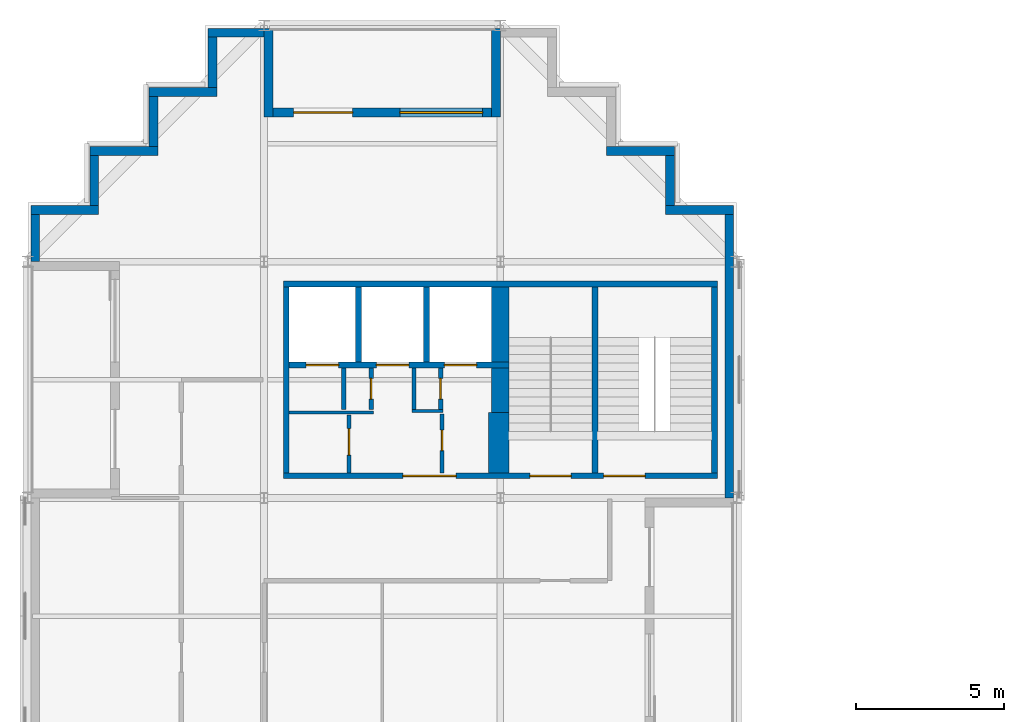
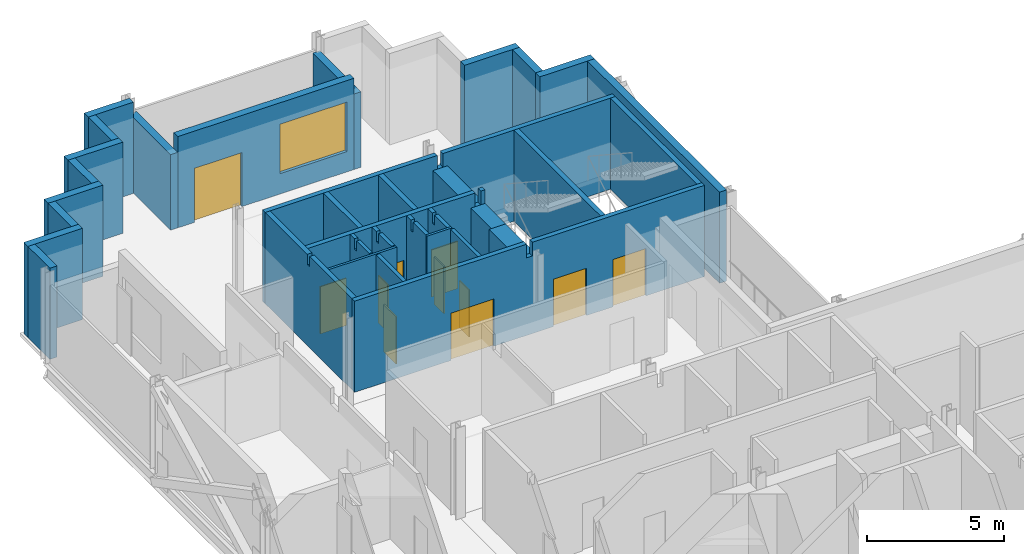
# One storey, part 8 of 10: 34 walls, 11 doors, 1 window, 12 openings.
"""IFC4 building model written with IfcOpenShell, lengths in metres."""

from ifc_helpers import new_model, si_unit, direction, frame, frame_2d, origin, place, context, subcontext, project, spatial, polyline, rectangle, outline, extrude, material, layer, layer_set, type_object, element, fill, save


model = new_model("IFC4")

# Units and contexts
model_context = context("Model", 3, precision=1e-05, world=origin(), true_north=direction((0.0, 1.0)))
body_context = subcontext(model_context, "Body", "Model", "MODEL_VIEW")
ifc_project = project(units=[si_unit("LENGTHUNIT", "METRE"), si_unit("AREAUNIT", "SQUARE_METRE"), si_unit("VOLUMEUNIT", "CUBIC_METRE"), si_unit("PLANEANGLEUNIT", "RADIAN"), si_unit("MASSUNIT", "GRAM", prefix="KILO")], contexts=[model_context])

# Site, building, storey
site_placement = place(None, origin())
site = spatial("IfcSite", under=ifc_project, at=site_placement, CompositionType="ELEMENT")
building_placement = place(site_placement, origin())
building = spatial("IfcBuilding", under=site, at=building_placement, Name="Immortelle Media Tower", CompositionType="ELEMENT")
storey_placement = place(building_placement, frame((0.0, 0.0, 162.0)))
storey = spatial("IfcBuildingStorey", under=building, at=storey_placement, Name="L33", CompositionType="ELEMENT", Elevation=162.0)

# Walls
ifc_material_1 = material(Name="Fire-rated gypsum board", Category="gypsum")
ifc_layer_1 = layer(ifc_material_1, 0.02490234375)
ifc_material_2 = material(Name="Steel ASTM A653 SS Gr 50 stud frame with mineral wool", Category="steel")
ifc_layer_2 = layer(ifc_material_2, 0.050048828125)
ifc_layer_3 = layer(ifc_material_1, 0.02490234375)
ifc_layer_set_1 = layer_set([ifc_layer_1, ifc_layer_2, ifc_layer_3], Name="Steel ASTM A653 SS Gr 50 stud frame with mineral wool")
wall_type_1 = type_object("IfcWallType", Name="Core partition 100", PredefinedType="PARTITIONING", material=ifc_layer_set_1)
wall_1_placement = place(storey_placement, frame((8.85009765625, 34.89990234375, 0.0), z_axis=(0.0, 0.0, 1.0), x_axis=(1.0, 0.0, 0.0)))
element("IfcWall", 1, at=wall_1_placement, inside=storey, type_object=wall_type_1, Name="Core partition NW", PredefinedType="PARTITIONING", context=body_context, shape_type="SweptSolid", body=[
    extrude(rectangle(XDim=2.849853515625, YDim=0.10009765625, at=frame_2d((1.4248046875, 0.0))), origin(), (0.0, 0.0, 1.0), 4.050048828125),
])
wall_2_placement = place(storey_placement, frame((13.0, 34.949951171875, 0.0), z_axis=(0.0, 0.0, 1.0), x_axis=(1.0, 0.0, 0.0)))
element("IfcWall", 2, at=wall_2_placement, inside=storey, type_object=wall_type_1, Name="Core partition NW", PredefinedType="PARTITIONING", context=body_context, shape_type="SweptSolid", body=[
    extrude(rectangle(XDim=1.050048828125, YDim=0.10009765625, at=frame_2d((0.52490234375, 0.0))), origin(), (0.0, 0.0, 1.0), 4.050048828125),
])
ifc_layer_4 = layer(ifc_material_1, 0.02490234375)
ifc_layer_5 = layer(ifc_material_2, 0.10009765625)
ifc_layer_6 = layer(ifc_material_1, 0.02490234375)
ifc_layer_set_2 = layer_set([ifc_layer_4, ifc_layer_5, ifc_layer_6], Name="Steel ASTM A653 SS Gr 50 stud frame with mineral wool")
wall_type_2 = type_object("IfcWallType", Name="Core partition 150", PredefinedType="PARTITIONING", material=ifc_layer_set_2)
wall_3_placement = place(storey_placement, frame((10.699951171875, 35.0, 0.0), z_axis=(0.0, 0.0, 1.0), x_axis=(0.0, 1.0, 0.0)))
element("IfcWall", 3, at=wall_3_placement, inside=storey, type_object=wall_type_2, Name="Core partition NW", PredefinedType="PARTITIONING", context=body_context, shape_type="SweptSolid", body=[
    extrude(outline(polyline([(0.0, 0.0), (1.39990234375, 0.0), (1.39990234375, 4.050048828125), (1.08154296875, 4.050048828125), (1.08056640625, 3.589111328125), (0.91943359375, 3.589111328125), (0.91845703125, 4.050048828125), (0.0, 4.050048828125), (0.0, 0.0)])), frame((0.0, 0.074951171875, 0.0), z_axis=(0.0, -1.0, 0.0), x_axis=(1.0, 0.0, 0.0)), (0.0, 0.0, 1.0), 0.14990234375),
])

# Wall, opening, door
wall_4_placement = place(storey_placement, frame((10.875, 32.85009765625, 0.0), z_axis=(0.0, 0.0, 1.0), x_axis=(0.0, 1.0, 0.0)))
wall_4 = element("IfcWall", 4, at=wall_4_placement, inside=storey, type_object=wall_type_2, Name="Core partition NW", PredefinedType="PARTITIONING", context=body_context, shape_type="SweptSolid", body=[
    extrude(rectangle(XDim=1.949951171875, YDim=0.14990234375, at=frame_2d((0.97509765625, 0.0))), origin(), (0.0, 0.0, 1.0), 4.050048828125),
])
opening_1_placement = place(wall_4_placement, frame((0.60009765625, 0.0, 0.0)))
opening_1 = element("IfcOpeningElement", 5, at=opening_1_placement, cuts=wall_4, Name="Opening C4-K026", PredefinedType="OPENING", context=body_context, shape_type="SweptSolid", body=[
    extrude(rectangle(XDim=0.89990234375, YDim=2.10009765625, at=frame_2d((0.449951171875, 1.050048828125))), frame((0.0, 0.0849609375, 0.0), z_axis=(0.0, -1.0, 0.0), x_axis=(1.0, 0.0, 0.0)), (0.0, 0.0, 1.0), 0.169921875),
])
ifc_material_3 = material(Name="Galvanised steel door leaf and frame ASTM A653", Category="steel")
door_type_1 = type_object("IfcDoorType", Name="Service door 900 x 2100", OperationType="NOTDEFINED", PredefinedType="NOTDEFINED", material=ifc_material_3)
door_1_placement = place(opening_1_placement, origin())
door_1 = element("IfcDoor", 6, at=door_1_placement, inside=storey, type_object=door_type_1, Name="Service C4-K026", OperationType="SINGLE_SWING_LEFT", OverallHeight=2.10009765625, OverallWidth=0.89990234375, PredefinedType="NOTDEFINED", context=body_context, shape_type="SweptSolid", body=[
    extrude(rectangle(XDim=0.89990234375, YDim=2.10009765625, at=frame_2d((0.449951171875, 1.050048828125))), frame((0.0, 0.02490234375, 0.0), z_axis=(0.0, -1.0, 0.0), x_axis=(1.0, 0.0, 0.0)), (0.0, 0.0, 1.0), 0.050048828125),
])
fill(opening_1, door_1)

wall_5_placement = place(storey_placement, frame((11.625, 35.0, 0.0), z_axis=(0.0, 0.0, 1.0), x_axis=(0.0, 1.0, 0.0)))
wall_5 = element("IfcWall", 7, at=wall_5_placement, inside=storey, type_object=wall_type_2, Name="Core partition NW", PredefinedType="PARTITIONING", context=body_context, shape_type="SweptSolid", body=[
    extrude(outline(polyline([(0.0, 0.0), (1.39990234375, 0.0), (1.39990234375, 4.050048828125), (1.08154296875, 4.050048828125), (1.08056640625, 3.589111328125), (0.91943359375, 3.589111328125), (0.91845703125, 4.050048828125), (0.0, 4.050048828125), (0.0, 0.0)])), frame((0.0, 0.074951171875, 0.0), z_axis=(0.0, -1.0, 0.0), x_axis=(1.0, 0.0, 0.0)), (0.0, 0.0, 1.0), 0.14990234375),
])
opening_2_placement = place(wall_5_placement, frame((0.35009765625, 0.0, 0.0)))
opening_2 = element("IfcOpeningElement", 8, at=opening_2_placement, cuts=wall_5, Name="Opening C4-K027", PredefinedType="OPENING", context=body_context, shape_type="SweptSolid", body=[
    extrude(rectangle(XDim=0.699951171875, YDim=2.10009765625, at=frame_2d((0.35009765625, 1.050048828125))), frame((0.0, 0.0849609375, 0.0), z_axis=(0.0, -1.0, 0.0), x_axis=(1.0, 0.0, 0.0)), (0.0, 0.0, 1.0), 0.169921875),
])
door_type_2 = type_object("IfcDoorType", Name="Service door 700 x 2100", OperationType="NOTDEFINED", PredefinedType="NOTDEFINED", material=ifc_material_3)
door_2_placement = place(opening_2_placement, origin())
door_2 = element("IfcDoor", 9, at=door_2_placement, inside=storey, type_object=door_type_2, Name="Service C4-K027", OperationType="SINGLE_SWING_RIGHT", OverallHeight=2.10009765625, OverallWidth=0.699951171875, PredefinedType="NOTDEFINED", context=body_context, shape_type="SweptSolid", body=[
    extrude(rectangle(XDim=0.699951171875, YDim=2.10009765625, at=frame_2d((0.35009765625, 1.050048828125))), frame((0.0, 0.02490234375, 0.0), z_axis=(0.0, -1.0, 0.0), x_axis=(1.0, 0.0, 0.0)), (0.0, 0.0, 1.0), 0.050048828125),
])
fill(opening_2, door_2)

# Wall
wall_6_placement = place(storey_placement, frame((13.074951171875, 35.0, 0.0), z_axis=(0.0, 0.0, 1.0), x_axis=(0.0, 1.0, 0.0)))
element("IfcWall", 10, at=wall_6_placement, inside=storey, type_object=wall_type_2, Name="Core partition NW", PredefinedType="PARTITIONING", context=body_context, shape_type="SweptSolid", body=[
    extrude(outline(polyline([(0.0, 0.0), (1.39990234375, 0.0), (1.39990234375, 4.050048828125), (1.08154296875, 4.050048828125), (1.08056640625, 3.589111328125), (0.91943359375, 3.589111328125), (0.91845703125, 4.050048828125), (0.0, 4.050048828125), (0.0, 0.0)])), frame((0.0, 0.074951171875, 0.0), z_axis=(0.0, -1.0, 0.0), x_axis=(1.0, 0.0, 0.0)), (0.0, 0.0, 1.0), 0.14990234375),
])

# Wall, opening, door
wall_7_placement = place(storey_placement, frame((13.97509765625, 35.0, 0.0), z_axis=(0.0, 0.0, 1.0), x_axis=(0.0, 1.0, 0.0)))
wall_7 = element("IfcWall", 11, at=wall_7_placement, inside=storey, type_object=wall_type_2, Name="Core partition NW", PredefinedType="PARTITIONING", context=body_context, shape_type="SweptSolid", body=[
    extrude(outline(polyline([(0.0, 0.0), (1.39990234375, 0.0), (1.39990234375, 4.050048828125), (1.08154296875, 4.050048828125), (1.08056640625, 3.589111328125), (0.91943359375, 3.589111328125), (0.91845703125, 4.050048828125), (0.0, 4.050048828125), (0.0, 0.0)])), frame((0.0, 0.074951171875, 0.0), z_axis=(0.0, -1.0, 0.0), x_axis=(1.0, 0.0, 0.0)), (0.0, 0.0, 1.0), 0.14990234375),
])
opening_3_placement = place(wall_7_placement, frame((1.050048828125, 0.0, 0.0), z_axis=(0.0, 0.0, 1.0), x_axis=(-1.0, 0.0, 0.0)))
opening_3 = element("IfcOpeningElement", 12, at=opening_3_placement, cuts=wall_7, Name="Opening C4-K030", PredefinedType="OPENING", context=body_context, shape_type="SweptSolid", body=[
    extrude(rectangle(XDim=0.699951171875, YDim=2.10009765625, at=frame_2d((0.35009765625, 1.050048828125))), frame((0.0, 0.0849609375, 0.0), z_axis=(0.0, -1.0, 0.0), x_axis=(1.0, 0.0, 0.0)), (0.0, 0.0, 1.0), 0.169921875),
])
door_3_placement = place(opening_3_placement, origin())
door_3 = element("IfcDoor", 13, at=door_3_placement, inside=storey, type_object=door_type_2, Name="Service C4-K030", OperationType="SINGLE_SWING_RIGHT", OverallHeight=2.10009765625, OverallWidth=0.699951171875, PredefinedType="NOTDEFINED", context=body_context, shape_type="SweptSolid", body=[
    extrude(rectangle(XDim=0.699951171875, YDim=2.10009765625, at=frame_2d((0.35009765625, 1.050048828125))), frame((0.0, 0.02490234375, 0.0), z_axis=(0.0, -1.0, 0.0), x_axis=(1.0, 0.0, 0.0)), (0.0, 0.0, 1.0), 0.050048828125),
])
fill(opening_3, door_3)

wall_8_placement = place(storey_placement, frame((14.02490234375, 32.85009765625, 0.0), z_axis=(0.0, 0.0, 1.0), x_axis=(0.0, 1.0, 0.0)))
wall_8 = element("IfcWall", 14, at=wall_8_placement, inside=storey, type_object=wall_type_2, Name="Core partition NW", PredefinedType="PARTITIONING", context=body_context, shape_type="SweptSolid", body=[
    extrude(rectangle(XDim=2.0, YDim=0.14990234375, at=frame_2d((1.0, 0.0))), origin(), (0.0, 0.0, 1.0), 4.050048828125),
])
opening_4_placement = place(wall_8_placement, frame((1.449951171875, 0.0, 0.0), z_axis=(0.0, 0.0, 1.0), x_axis=(-1.0, 0.0, 0.0)))
opening_4 = element("IfcOpeningElement", 15, at=opening_4_placement, cuts=wall_8, Name="Opening C4-K031", PredefinedType="OPENING", context=body_context, shape_type="SweptSolid", body=[
    extrude(rectangle(XDim=0.699951171875, YDim=2.10009765625, at=frame_2d((0.35009765625, 1.050048828125))), frame((0.0, 0.0849609375, 0.0), z_axis=(0.0, -1.0, 0.0), x_axis=(1.0, 0.0, 0.0)), (0.0, 0.0, 1.0), 0.169921875),
])
door_4_placement = place(opening_4_placement, origin())
door_4 = element("IfcDoor", 16, at=door_4_placement, inside=storey, type_object=door_type_2, Name="Service C4-K031", OperationType="SINGLE_SWING_LEFT", OverallHeight=2.10009765625, OverallWidth=0.699951171875, PredefinedType="NOTDEFINED", context=body_context, shape_type="SweptSolid", body=[
    extrude(rectangle(XDim=0.699951171875, YDim=2.10009765625, at=frame_2d((0.35009765625, 1.050048828125))), frame((0.0, 0.02490234375, 0.0), z_axis=(0.0, -1.0, 0.0), x_axis=(1.0, 0.0, 0.0)), (0.0, 0.0, 1.0), 0.050048828125),
])
fill(opening_4, door_4)

# Wall
ifc_layer_7 = layer(ifc_material_1, 0.03759765625)
ifc_layer_8 = layer(ifc_material_2, 0.125)
ifc_layer_9 = layer(ifc_material_1, 0.03759765625)
ifc_layer_set_3 = layer_set([ifc_layer_7, ifc_layer_8, ifc_layer_9], Name="Steel ASTM A653 SS Gr 50 stud frame with mineral wool")
wall_type_3 = type_object("IfcWallType", Name="Core shaft wall 200", PredefinedType="PARTITIONING", material=ifc_layer_set_3)
wall_9_placement = place(storey_placement, frame((8.75, 32.85009765625, 0.0), z_axis=(0.0, 0.0, 1.0), x_axis=(0.0, 1.0, 0.0)))
element("IfcWall", 17, at=wall_9_placement, inside=storey, type_object=wall_type_3, Name="Core shaft wall NW", PredefinedType="PARTITIONING", context=body_context, shape_type="SweptSolid", body=[
    extrude(outline(polyline([(0.0, 0.0), (6.2998046875, 0.0), (6.300048828125, 4.050048828125), (3.2314453125, 4.050048828125), (3.23046875, 3.589111328125), (3.069580078125, 3.589111328125), (3.068603515625, 4.050048828125), (0.0, 4.050048828125), (0.0, 0.0)])), frame((0.0, 0.10009765625, 0.0), z_axis=(0.0, -1.0, 0.0), x_axis=(1.0, 0.0, 0.0)), (0.0, 0.0, 1.0), 0.199951171875),
])

# Wall, openings, doors
wall_10_placement = place(storey_placement, frame((8.85009765625, 36.5, 0.0), z_axis=(0.0, 0.0, 1.0), x_axis=(1.0, 0.0, 0.0)))
wall_10 = element("IfcWall", 18, at=wall_10_placement, inside=storey, type_object=wall_type_3, Name="Core shaft wall NW", PredefinedType="PARTITIONING", context=body_context, shape_type="SweptSolid", body=[
    extrude(outline(polyline([(0.0, 0.0), (7.449951171875, 0.0), (7.449951171875, 4.050048828125), (7.26904296875, 4.050048828125), (7.26806640625, 3.44189453125), (7.031982421875, 3.44189453125), (7.031005859375, 4.050048828125), (0.0, 4.050048828125), (0.0, 0.0)])), frame((0.0, 0.10009765625, 0.0), z_axis=(0.0, -1.0, 0.0), x_axis=(1.0, 0.0, 0.0)), (0.0, 0.0, 1.0), 0.199951171875),
])
opening_5_placement = place(wall_10_placement, frame((0.574951171875, 0.0, 0.0)))
opening_5 = element("IfcOpeningElement", 19, at=opening_5_placement, cuts=wall_10, Name="Opening LD", PredefinedType="OPENING", context=body_context, shape_type="SweptSolid", body=[
    extrude(rectangle(XDim=1.10009765625, YDim=2.10009765625, at=frame_2d((0.550048828125, 1.050048828125))), frame((0.0, 0.10986328125, 0.0), z_axis=(0.0, -1.0, 0.0), x_axis=(1.0, 0.0, 0.0)), (0.0, 0.0, 1.0), 0.219970703125),
])
opening_6_placement = place(wall_10_placement, frame((2.949951171875, 0.0, 0.0)))
opening_6 = element("IfcOpeningElement", 20, at=opening_6_placement, cuts=wall_10, Name="Opening LD", PredefinedType="OPENING", context=body_context, shape_type="SweptSolid", body=[
    extrude(rectangle(XDim=1.10009765625, YDim=2.10009765625, at=frame_2d((0.550048828125, 1.050048828125))), frame((0.0, 0.10986328125, 0.0), z_axis=(0.0, -1.0, 0.0), x_axis=(1.0, 0.0, 0.0)), (0.0, 0.0, 1.0), 0.219970703125),
])
opening_7_placement = place(wall_10_placement, frame((5.25, 0.0, 0.0)))
opening_7 = element("IfcOpeningElement", 21, at=opening_7_placement, cuts=wall_10, Name="Opening LD", PredefinedType="OPENING", context=body_context, shape_type="SweptSolid", body=[
    extrude(rectangle(XDim=1.10009765625, YDim=2.10009765625, at=frame_2d((0.550048828125, 1.050048828125))), frame((0.0, 0.10986328125, 0.0), z_axis=(0.0, -1.0, 0.0), x_axis=(1.0, 0.0, 0.0)), (0.0, 0.0, 1.0), 0.219970703125),
])
ifc_material_4 = material(Name="Stainless steel AISI 304", Category="steel")
door_type_3 = type_object("IfcDoorType", Name="Landing door 1100 x 2100", OperationType="SLIDING_TO_LEFT", PredefinedType="NOTDEFINED", material=ifc_material_4)
door_5_placement = place(opening_5_placement, origin())
door_5 = element("IfcDoor", 22, at=door_5_placement, inside=storey, type_object=door_type_3, Name="Landing door MR1 L33", OperationType="SLIDING_TO_LEFT", OverallHeight=2.10009765625, OverallWidth=1.10009765625, PredefinedType="NOTDEFINED", context=body_context, shape_type="SweptSolid", body=[
    extrude(rectangle(XDim=1.10009765625, YDim=2.10009765625, at=frame_2d((0.550048828125, 1.050048828125))), frame((0.0, 0.02490234375, 0.0), z_axis=(0.0, -1.0, 0.0), x_axis=(1.0, 0.0, 0.0)), (0.0, 0.0, 1.0), 0.050048828125),
])
fill(opening_5, door_5)
door_6_placement = place(opening_6_placement, origin())
door_6 = element("IfcDoor", 23, at=door_6_placement, inside=storey, type_object=door_type_3, Name="Landing door MR2 L33", OperationType="SLIDING_TO_LEFT", OverallHeight=2.10009765625, OverallWidth=1.10009765625, PredefinedType="NOTDEFINED", context=body_context, shape_type="SweptSolid", body=[
    extrude(rectangle(XDim=1.10009765625, YDim=2.10009765625, at=frame_2d((0.550048828125, 1.050048828125))), frame((0.0, 0.02490234375, 0.0), z_axis=(0.0, -1.0, 0.0), x_axis=(1.0, 0.0, 0.0)), (0.0, 0.0, 1.0), 0.050048828125),
])
fill(opening_6, door_6)
door_7_placement = place(opening_7_placement, origin())
door_7 = element("IfcDoor", 24, at=door_7_placement, inside=storey, type_object=door_type_3, Name="Landing door MR3 L33", OperationType="SLIDING_TO_LEFT", OverallHeight=2.10009765625, OverallWidth=1.10009765625, PredefinedType="NOTDEFINED", context=body_context, shape_type="SweptSolid", body=[
    extrude(rectangle(XDim=1.10009765625, YDim=2.10009765625, at=frame_2d((0.550048828125, 1.050048828125))), frame((0.0, 0.02490234375, 0.0), z_axis=(0.0, -1.0, 0.0), x_axis=(1.0, 0.0, 0.0)), (0.0, 0.0, 1.0), 0.050048828125),
])
fill(opening_7, door_7)

# Walls
for number, where, z_axis, x_axis, name in (
    (25, (11.199951171875, 36.60009765625, 0.0), (0.0, 0.0, 1.0), (0.0, 1.0, 0.0), "Core shaft wall NW"),
    (26, (13.5, 36.60009765625, 0.0), (0.0, 0.0, 1.0), (0.0, 1.0, 0.0), "Core shaft wall NW"),
):
    element("IfcWall", number, at=place(storey_placement, frame(where, z_axis=z_axis, x_axis=x_axis)), inside=storey, type_object=wall_type_3, Name=name, PredefinedType="PARTITIONING", context=body_context, shape_type="SweptSolid", body=[
        extrude(rectangle(XDim=2.5498046875, YDim=0.199951171875, at=frame_2d((1.27490234375, 0.0))), origin(), (0.0, 0.0, 1.0), 4.050048828125),
    ])
ifc_material_5 = material(Name="Pale aluminium cladding panel", Category="aluminium")
ifc_layer_10 = layer(ifc_material_5, 0.030029296875)
ifc_layer_11 = layer(ifc_material_2, 0.257568359375)
ifc_material_6 = material(Name="Moisture-resistant gypsum board", Category="gypsum")
ifc_layer_12 = layer(ifc_material_6, 0.012451171875)
ifc_layer_set_4 = layer_set([ifc_layer_10, ifc_layer_11, ifc_layer_12], Name="Steel ASTM A653 SS Gr 50 stud frame with mineral wool")
wall_type_4 = type_object("IfcWallType", Name="Facade wall 300", PredefinedType="SOLIDWALL", material=ifc_layer_set_4)
wall_11_placement = place(storey_placement, frame((23.75, 32.0, 0.0), z_axis=(0.0, 0.0, 1.0), x_axis=(0.0, 1.0, 0.0)))
element("IfcWall", 27, at=wall_11_placement, inside=storey, type_object=wall_type_4, Name="Facade wall L33 E21", PredefinedType="SOLIDWALL", context=body_context, shape_type="SweptSolid", body=[
    extrude(rectangle(XDim=9.60009765625, YDim=0.300048828125, at=frame_2d((4.800048828125, 0.0))), origin(), (0.0, 0.0, 1.0), 4.050048828125),
])
wall_12_placement = place(storey_placement, frame((23.89990234375, 41.75, 0.0), z_axis=(0.0, 0.0, 1.0), x_axis=(-1.0, 0.0, 0.0)))
element("IfcWall", 28, at=wall_12_placement, inside=storey, type_object=wall_type_4, Name="Facade wall L33 N22", PredefinedType="SOLIDWALL", context=body_context, shape_type="SweptSolid", body=[
    extrude(rectangle(XDim=2.2998046875, YDim=0.300048828125, at=frame_2d((1.14990234375, 0.0))), origin(), (0.0, 0.0, 1.0), 4.050048828125),
])
wall_13_placement = place(storey_placement, frame((21.75, 41.89990234375, 0.0), z_axis=(0.0, 0.0, 1.0), x_axis=(0.0, 1.0, 0.0)))
element("IfcWall", 29, at=wall_13_placement, inside=storey, type_object=wall_type_4, Name="Facade wall L33 E23", PredefinedType="SOLIDWALL", context=body_context, shape_type="SweptSolid", body=[
    extrude(rectangle(XDim=1.7001953125, YDim=0.300048828125, at=frame_2d((0.85009765625, 0.0))), origin(), (0.0, 0.0, 1.0), 4.050048828125),
])
wall_14_placement = place(storey_placement, frame((21.89990234375, 43.75, 0.0), z_axis=(0.0, 0.0, 1.0), x_axis=(-1.0, 0.0, 0.0)))
element("IfcWall", 30, at=wall_14_placement, inside=storey, type_object=wall_type_4, Name="Facade wall L33 N24", PredefinedType="SOLIDWALL", context=body_context, shape_type="SweptSolid", body=[
    extrude(rectangle(XDim=2.2998046875, YDim=0.300048828125, at=frame_2d((1.14990234375, 0.0))), origin(), (0.0, 0.0, 1.0), 4.050048828125),
])

# Wall, openings, door, window
wall_15_placement = place(storey_placement, frame((15.699951171875, 45.050048828125, 0.0), z_axis=(0.0, 0.0, 1.0), x_axis=(-1.0, 0.0, 0.0)))
wall_15 = element("IfcWall", 31, at=wall_15_placement, inside=storey, type_object=wall_type_4, Name="Loggia wall L33 N28", PredefinedType="SOLIDWALL", context=body_context, shape_type="SweptSolid", body=[
    extrude(rectangle(XDim=7.39990234375, YDim=0.300048828125, at=frame_2d((3.699951171875, 0.0))), origin(), (0.0, 0.0, 1.0), 4.050048828125),
])
opening_8_placement = place(wall_15_placement, frame((0.300048828125, 0.0, 0.89990234375)))
opening_8 = element("IfcOpeningElement", 32, at=opening_8_placement, cuts=wall_15, Name="Opening W1", PredefinedType="OPENING", context=body_context, shape_type="SweptSolid", body=[
    extrude(rectangle(XDim=2.800048828125, YDim=2.199951171875, at=frame_2d((1.39990234375, 1.10009765625))), frame((0.0, 0.159912109375, 0.0), z_axis=(0.0, -1.0, 0.0), x_axis=(1.0, 0.0, 0.0)), (0.0, 0.0, 1.0), 0.320068359375),
])
opening_9_placement = place(wall_15_placement, frame((4.699951171875, 0.0, 0.0)))
opening_9 = element("IfcOpeningElement", 33, at=opening_9_placement, cuts=wall_15, Name="Opening C4-E006", PredefinedType="OPENING", context=body_context, shape_type="SweptSolid", body=[
    extrude(rectangle(XDim=2.0, YDim=2.39990234375, at=frame_2d((1.0, 1.199951171875))), frame((0.0, 0.159912109375, 0.0), z_axis=(0.0, -1.0, 0.0), x_axis=(1.0, 0.0, 0.0)), (0.0, 0.0, 1.0), 0.320068359375),
])
ifc_material_7 = material(Name="Aluminium frame, glazed leaves", Category="aluminium")
door_type_4 = type_object("IfcDoorType", Name="Loggia door 2000 x 2400", OperationType="DOUBLE_DOOR_SINGLE_SWING", PredefinedType="DOOR", material=ifc_material_7)
door_8_placement = place(opening_9_placement, origin())
door_8 = element("IfcDoor", 34, at=door_8_placement, inside=storey, type_object=door_type_4, Name="Door C4-E006", OperationType="DOUBLE_DOOR_SINGLE_SWING", OverallHeight=2.39990234375, OverallWidth=2.0, PredefinedType="DOOR", context=body_context, shape_type="SweptSolid", body=[
    extrude(rectangle(XDim=2.0, YDim=2.39990234375, at=frame_2d((1.0, 1.199951171875))), frame((0.0, 0.02490234375, 0.0), z_axis=(0.0, -1.0, 0.0), x_axis=(1.0, 0.0, 0.0)), (0.0, 0.0, 1.0), 0.050048828125),
])
fill(opening_9, door_8)
ifc_material_8 = material(Name="Aluminium frame", Category="aluminium")
window_type = type_object("IfcWindowType", Name="Window 2800 x 2200", PartitioningType="SINGLE_PANEL", PredefinedType="WINDOW", material=ifc_material_8)
window_placement = place(opening_8_placement, origin())
window = element("IfcWindow", 35, at=window_placement, inside=storey, type_object=window_type, Name="Window L33 L33-R28-B0", OverallHeight=2.199951171875, OverallWidth=2.800048828125, PartitioningType="SINGLE_PANEL", PredefinedType="WINDOW", context=body_context, shape_type="SweptSolid", body=[
    extrude(rectangle(XDim=2.800048828125, YDim=2.199951171875, at=frame_2d((1.39990234375, 1.10009765625))), frame((0.0, 0.030029296875, 0.0), z_axis=(0.0, -1.0, 0.0), x_axis=(1.0, 0.0, 0.0)), (0.0, 0.0, 1.0), 0.06005859375),
])
fill(opening_8, window)

# Walls
for number, where, z_axis, x_axis, name in (
    (36, (15.85009765625, 47.89990234375, 0.0), (0.0, 0.0, 1.0), (0.0, -1.0, 0.0), "Loggia cheek wall L33 N"),
    (37, (8.14990234375, 47.89990234375, 0.0), (0.0, 0.0, 1.0), (0.0, -1.0, 0.0), "Loggia cheek wall L33 N"),
):
    element("IfcWall", number, at=place(storey_placement, frame(where, z_axis=z_axis, x_axis=x_axis)), inside=storey, type_object=wall_type_4, Name=name, PredefinedType="SOLIDWALL", context=body_context, shape_type="SweptSolid", body=[
        extrude(rectangle(XDim=3.0, YDim=0.300048828125, at=frame_2d((1.5, 0.0))), origin(), (0.0, 0.0, 1.0), 3.35302734375),
    ])
wall_16_placement = place(storey_placement, frame((8.0, 47.75, 0.0), z_axis=(0.0, 0.0, 1.0), x_axis=(-1.0, 0.0, 0.0)))
element("IfcWall", 38, at=wall_16_placement, inside=storey, type_object=wall_type_4, Name="Facade wall L33 N28", PredefinedType="SOLIDWALL", context=body_context, shape_type="SweptSolid", body=[
    extrude(rectangle(XDim=1.89990234375, YDim=0.300048828125, at=frame_2d((0.949951171875, 0.0))), origin(), (0.0, 0.0, 1.0), 4.050048828125),
])
wall_17_placement = place(storey_placement, frame((6.25, 47.60009765625, 0.0), z_axis=(0.0, 0.0, 1.0), x_axis=(0.0, -1.0, 0.0)))
element("IfcWall", 39, at=wall_17_placement, inside=storey, type_object=wall_type_4, Name="Facade wall L33 W29", PredefinedType="SOLIDWALL", context=body_context, shape_type="SweptSolid", body=[
    extrude(rectangle(XDim=1.7001953125, YDim=0.300048828125, at=frame_2d((0.85009765625, 0.0))), origin(), (0.0, 0.0, 1.0), 4.050048828125),
])
wall_18_placement = place(storey_placement, frame((6.39990234375, 45.75, 0.0), z_axis=(0.0, 0.0, 1.0), x_axis=(-1.0, 0.0, 0.0)))
element("IfcWall", 40, at=wall_18_placement, inside=storey, type_object=wall_type_4, Name="Facade wall L33 N30", PredefinedType="SOLIDWALL", context=body_context, shape_type="SweptSolid", body=[
    extrude(rectangle(XDim=2.2998046875, YDim=0.300048828125, at=frame_2d((1.14990234375, 0.0))), origin(), (0.0, 0.0, 1.0), 4.050048828125),
])
wall_19_placement = place(storey_placement, frame((4.25, 45.60009765625, 0.0), z_axis=(0.0, 0.0, 1.0), x_axis=(0.0, -1.0, 0.0)))
element("IfcWall", 41, at=wall_19_placement, inside=storey, type_object=wall_type_4, Name="Facade wall L33 W31", PredefinedType="SOLIDWALL", context=body_context, shape_type="SweptSolid", body=[
    extrude(rectangle(XDim=1.7001953125, YDim=0.300048828125, at=frame_2d((0.85009765625, 0.0))), origin(), (0.0, 0.0, 1.0), 4.050048828125),
])
wall_20_placement = place(storey_placement, frame((4.39990234375, 43.75, 0.0), z_axis=(0.0, 0.0, 1.0), x_axis=(-1.0, 0.0, 0.0)))
element("IfcWall", 42, at=wall_20_placement, inside=storey, type_object=wall_type_4, Name="Facade wall L33 N32", PredefinedType="SOLIDWALL", context=body_context, shape_type="SweptSolid", body=[
    extrude(rectangle(XDim=2.2998046875, YDim=0.300048828125, at=frame_2d((1.14990234375, 0.0))), origin(), (0.0, 0.0, 1.0), 4.050048828125),
])
wall_21_placement = place(storey_placement, frame((2.25, 43.60009765625, 0.0), z_axis=(0.0, 0.0, 1.0), x_axis=(0.0, -1.0, 0.0)))
element("IfcWall", 43, at=wall_21_placement, inside=storey, type_object=wall_type_4, Name="Facade wall L33 W33", PredefinedType="SOLIDWALL", context=body_context, shape_type="SweptSolid", body=[
    extrude(rectangle(XDim=1.7001953125, YDim=0.300048828125, at=frame_2d((0.85009765625, 0.0))), origin(), (0.0, 0.0, 1.0), 4.050048828125),
])
wall_22_placement = place(storey_placement, frame((2.39990234375, 41.75, 0.0), z_axis=(0.0, 0.0, 1.0), x_axis=(-1.0, 0.0, 0.0)))
element("IfcWall", 44, at=wall_22_placement, inside=storey, type_object=wall_type_4, Name="Facade wall L33 N34", PredefinedType="SOLIDWALL", context=body_context, shape_type="SweptSolid", body=[
    extrude(rectangle(XDim=2.2998046875, YDim=0.300048828125, at=frame_2d((1.14990234375, 0.0))), origin(), (0.0, 0.0, 1.0), 4.050048828125),
])
wall_23_placement = place(storey_placement, frame((0.25, 41.60009765625, 0.0), z_axis=(0.0, 0.0, 1.0), x_axis=(0.0, -1.0, 0.0)))
element("IfcWall", 45, at=wall_23_placement, inside=storey, type_object=wall_type_4, Name="Facade wall L33 W35", PredefinedType="SOLIDWALL", context=body_context, shape_type="SweptSolid", body=[
    extrude(rectangle(XDim=1.60009765625, YDim=0.300048828125, at=frame_2d((0.800048828125, 0.0))), origin(), (0.0, 0.0, 1.0), 4.050048828125),
])

# Wall, openings, doors
ifc_material_9 = material(Name="Concrete C60", Category="concrete")
ifc_layer_13 = layer(ifc_material_9, 0.199951171875)
ifc_layer_set_5 = layer_set([ifc_layer_13], Name="Concrete C60")
wall_type_5 = type_object("IfcWallType", Name="Stair shaft wall 200", PredefinedType="PARTITIONING", material=ifc_layer_set_5)
wall_24_placement = place(storey_placement, frame((8.64990234375, 32.75, 0.0), z_axis=(0.0, 0.0, 1.0), x_axis=(1.0, 0.0, 0.0)))
wall_24 = element("IfcWall", 46, at=wall_24_placement, inside=storey, type_object=wall_type_5, Name="Stair shaft wall NW", PredefinedType="PARTITIONING", context=body_context, shape_type="SweptSolid", body=[
    extrude(outline(polyline([(0.0, 0.0), (14.7001953125, 0.0), (14.699951171875, 4.050048828125), (7.468994140625, 4.050048828125), (7.468017578125, 3.44189453125), (7.23193359375, 3.44189453125), (7.23095703125, 4.050048828125), (0.0, 4.050048828125), (0.0, 0.0)])), frame((0.0, 0.10009765625, 0.0), z_axis=(0.0, -1.0, 0.0), x_axis=(1.0, 0.0, 0.0)), (0.0, 0.0, 1.0), 0.199951171875),
])
opening_10_placement = place(wall_24_placement, frame((4.050048828125, 0.0, 0.0)))
opening_10 = element("IfcOpeningElement", 47, at=opening_10_placement, cuts=wall_24, Name="Opening C4-K029", PredefinedType="OPENING", context=body_context, shape_type="SweptSolid", body=[
    extrude(rectangle(XDim=1.800048828125, YDim=2.10009765625, at=frame_2d((0.89990234375, 1.050048828125))), frame((0.0, 0.10986328125, 0.0), z_axis=(0.0, -1.0, 0.0), x_axis=(1.0, 0.0, 0.0)), (0.0, 0.0, 1.0), 0.219970703125),
])
opening_11_placement = place(wall_24_placement, frame((8.35009765625, 0.0, 0.0)))
opening_11 = element("IfcOpeningElement", 48, at=opening_11_placement, cuts=wall_24, Name="Opening C4-K033", PredefinedType="OPENING", context=body_context, shape_type="SweptSolid", body=[
    extrude(rectangle(XDim=1.39990234375, YDim=2.10009765625, at=frame_2d((0.699951171875, 1.050048828125))), frame((0.0, 0.10986328125, 0.0), z_axis=(0.0, -1.0, 0.0), x_axis=(1.0, 0.0, 0.0)), (0.0, 0.0, 1.0), 0.219970703125),
])
opening_12_placement = place(wall_24_placement, frame((10.85009765625, 0.0, 0.0)))
opening_12 = element("IfcOpeningElement", 49, at=opening_12_placement, cuts=wall_24, Name="Opening C4-K034", PredefinedType="OPENING", context=body_context, shape_type="SweptSolid", body=[
    extrude(rectangle(XDim=1.39990234375, YDim=2.10009765625, at=frame_2d((0.699951171875, 1.050048828125))), frame((0.0, 0.10986328125, 0.0), z_axis=(0.0, -1.0, 0.0), x_axis=(1.0, 0.0, 0.0)), (0.0, 0.0, 1.0), 0.219970703125),
])
door_type_5 = type_object("IfcDoorType", Name="Lift lobby door 1800 x 2100", OperationType="DOUBLE_DOOR_SINGLE_SWING", PredefinedType="NOTDEFINED", material=ifc_material_3)
door_9_placement = place(opening_10_placement, origin())
door_9 = element("IfcDoor", 50, at=door_9_placement, inside=storey, type_object=door_type_5, Name="Lift lobby C4-K029", OperationType="DOUBLE_DOOR_SINGLE_SWING", OverallHeight=2.10009765625, OverallWidth=1.800048828125, PredefinedType="NOTDEFINED", context=body_context, shape_type="SweptSolid", body=[
    extrude(rectangle(XDim=1.800048828125, YDim=2.10009765625, at=frame_2d((0.89990234375, 1.050048828125))), frame((0.0, 0.02490234375, 0.0), z_axis=(0.0, -1.0, 0.0), x_axis=(1.0, 0.0, 0.0)), (0.0, 0.0, 1.0), 0.050048828125),
])
fill(opening_10, door_9)
door_type_6 = type_object("IfcDoorType", Name="Stair door 1400 x 2100", OperationType="DOUBLE_DOOR_SINGLE_SWING", PredefinedType="NOTDEFINED", material=ifc_material_3)
door_10_placement = place(opening_11_placement, origin())
door_10 = element("IfcDoor", 51, at=door_10_placement, inside=storey, type_object=door_type_6, Name="Stair C4-K033", OperationType="DOUBLE_DOOR_SINGLE_SWING", OverallHeight=2.10009765625, OverallWidth=1.39990234375, PredefinedType="NOTDEFINED", context=body_context, shape_type="SweptSolid", body=[
    extrude(rectangle(XDim=1.39990234375, YDim=2.10009765625, at=frame_2d((0.699951171875, 1.050048828125))), frame((0.0, 0.02490234375, 0.0), z_axis=(0.0, -1.0, 0.0), x_axis=(1.0, 0.0, 0.0)), (0.0, 0.0, 1.0), 0.050048828125),
])
fill(opening_11, door_10)
door_11_placement = place(opening_12_placement, origin())
door_11 = element("IfcDoor", 52, at=door_11_placement, inside=storey, type_object=door_type_6, Name="Stair C4-K034", OperationType="DOUBLE_DOOR_SINGLE_SWING", OverallHeight=2.10009765625, OverallWidth=1.39990234375, PredefinedType="NOTDEFINED", context=body_context, shape_type="SweptSolid", body=[
    extrude(rectangle(XDim=1.39990234375, YDim=2.10009765625, at=frame_2d((0.699951171875, 1.050048828125))), frame((0.0, 0.02490234375, 0.0), z_axis=(0.0, -1.0, 0.0), x_axis=(1.0, 0.0, 0.0)), (0.0, 0.0, 1.0), 0.050048828125),
])
fill(opening_12, door_11)

# Walls
wall_25_placement = place(storey_placement, frame((8.64990234375, 39.25, 0.0), z_axis=(0.0, 0.0, 1.0), x_axis=(1.0, 0.0, 0.0)))
element("IfcWall", 53, at=wall_25_placement, inside=storey, type_object=wall_type_5, Name="Stair shaft wall NW", PredefinedType="PARTITIONING", context=body_context, shape_type="SweptSolid", body=[
    extrude(outline(polyline([(0.0, 0.0), (14.7001953125, 0.0), (14.699951171875, 4.050048828125), (7.468994140625, 4.050048828125), (7.468017578125, 3.44189453125), (7.23193359375, 3.44189453125), (7.23095703125, 4.050048828125), (0.0, 4.050048828125), (0.0, 0.0)])), frame((0.0, 0.10009765625, 0.0), z_axis=(0.0, -1.0, 0.0), x_axis=(1.0, 0.0, 0.0)), (0.0, 0.0, 1.0), 0.199951171875),
])
for number, where, z_axis, x_axis, name in (
    (54, (19.199951171875, 32.85009765625, 0.0), (0.0, 0.0, 1.0), (0.0, 1.0, 0.0), "Stair shaft wall NW"),
    (55, (23.25, 32.85009765625, 0.0), (0.0, 0.0, 1.0), (0.0, 1.0, 0.0), "Stair shaft wall NW"),
):
    element("IfcWall", number, at=place(storey_placement, frame(where, z_axis=z_axis, x_axis=x_axis)), inside=storey, type_object=wall_type_5, Name=name, PredefinedType="PARTITIONING", context=body_context, shape_type="SweptSolid", body=[
        extrude(rectangle(XDim=6.2998046875, YDim=0.199951171875, at=frame_2d((3.14990234375, 0.0))), origin(), (0.0, 0.0, 1.0), 4.050048828125),
    ])
ifc_layer_14 = layer(ifc_material_9, 0.60009765625)
ifc_layer_set_6 = layer_set([ifc_layer_14], Name="Concrete C60")
wall_type_6 = type_object("IfcWallType", Name="Stair shaft wall 600", PredefinedType="PARTITIONING", material=ifc_layer_set_6)
wall_26_placement = place(storey_placement, frame((16.0, 34.89990234375, 0.0), z_axis=(0.0, 0.0, 1.0), x_axis=(0.0, 1.0, 0.0)))
element("IfcWall", 56, at=wall_26_placement, inside=storey, type_object=wall_type_6, Name="Stair shaft wall NW", PredefinedType="PARTITIONING", context=body_context, shape_type="SweptSolid", body=[
    extrude(rectangle(XDim=1.5, YDim=0.60009765625, at=frame_2d((0.75, 0.0))), origin(), (0.0, 0.0, 1.0), 3.44189453125),
])
wall_27_placement = place(storey_placement, frame((16.0, 36.60009765625, 0.0), z_axis=(0.0, 0.0, 1.0), x_axis=(0.0, 1.0, 0.0)))
element("IfcWall", 57, at=wall_27_placement, inside=storey, type_object=wall_type_6, Name="Stair shaft wall NW", PredefinedType="PARTITIONING", context=body_context, shape_type="SweptSolid", body=[
    extrude(rectangle(XDim=2.5498046875, YDim=0.60009765625, at=frame_2d((1.27490234375, 0.0))), origin(), (0.0, 0.0, 1.0), 3.44189453125),
])
ifc_layer_15 = layer(ifc_material_9, 0.699951171875)
ifc_layer_set_7 = layer_set([ifc_layer_15], Name="Concrete C60")
wall_type_7 = type_object("IfcWallType", Name="Stair shaft wall 700", PredefinedType="PARTITIONING", material=ifc_layer_set_7)
wall_28_placement = place(storey_placement, frame((15.949951171875, 32.85009765625, 0.0), z_axis=(0.0, 0.0, 1.0), x_axis=(0.0, 1.0, 0.0)))
element("IfcWall", 58, at=wall_28_placement, inside=storey, type_object=wall_type_7, Name="Stair shaft wall NW", PredefinedType="PARTITIONING", context=body_context, shape_type="SweptSolid", body=[
    extrude(rectangle(XDim=2.0498046875, YDim=0.699951171875, at=frame_2d((1.02490234375, 0.0))), origin(), (0.0, 0.0, 1.0), 3.44189453125),
])

save(model, "model.ifc")
